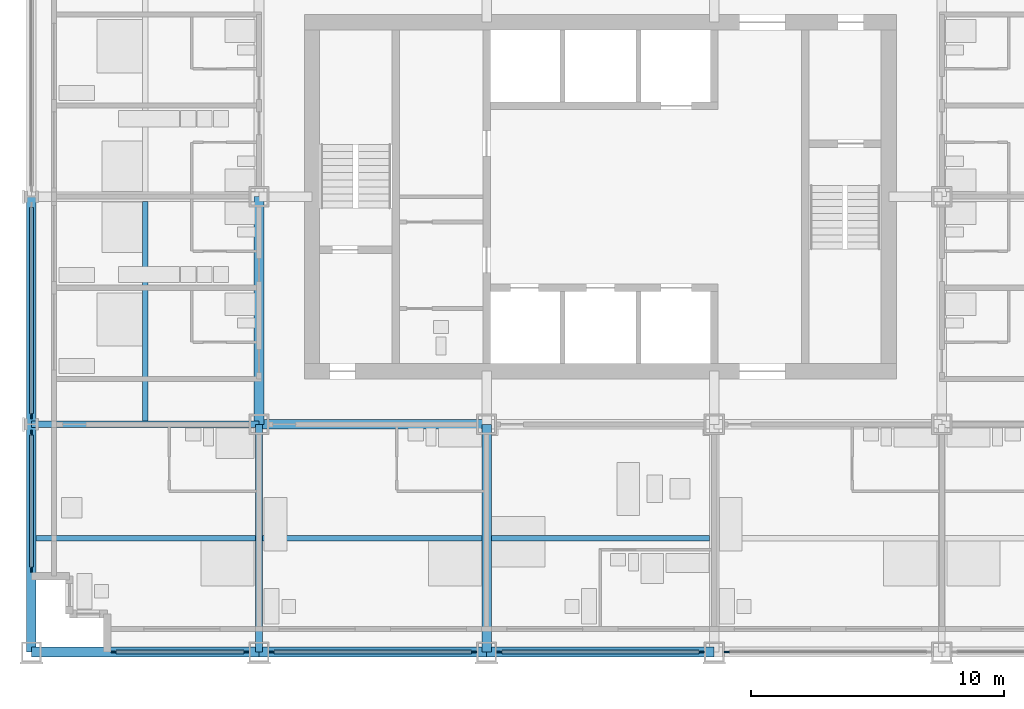
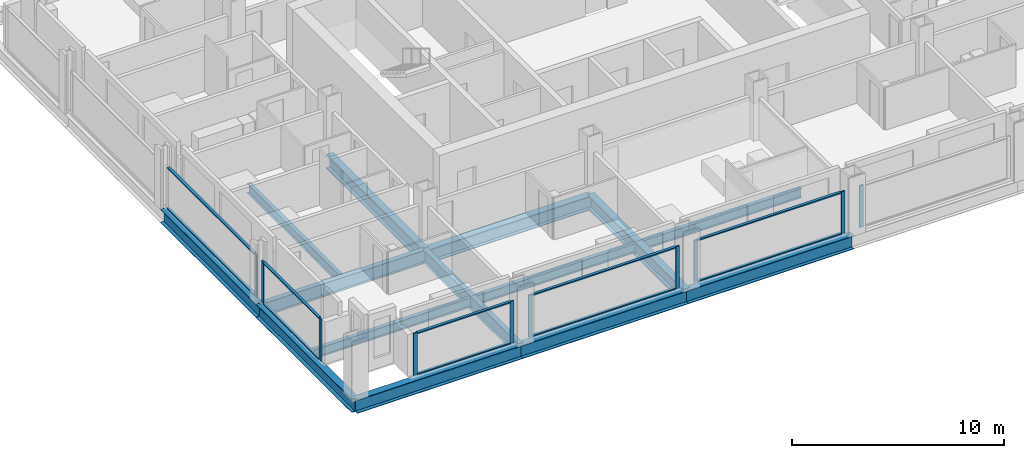
# One storey, part 2 of 16: 20 members, 14 beams, 6 elements without a shape of their own.
"""IFC4 building model written with IfcOpenShell, lengths in metres."""

from ifc_helpers import new_model, si_unit, direction, frame, origin, origin_2d, place, context, subcontext, project, spatial, rectangle, i_section, extrude, material, material_profile, profile_set, type_object, element, aggregate, save


model = new_model("IFC4")

# Units and contexts
model_context = context("Model", 3, precision=1e-05, world=origin(), true_north=direction((0.0, 1.0)))
body_context = subcontext(model_context, "Body", "Model", "MODEL_VIEW")
ifc_project = project(units=[si_unit("LENGTHUNIT", "METRE"), si_unit("AREAUNIT", "SQUARE_METRE"), si_unit("VOLUMEUNIT", "CUBIC_METRE"), si_unit("PLANEANGLEUNIT", "RADIAN"), si_unit("MASSUNIT", "GRAM", prefix="KILO")], contexts=[model_context])

# Site, building, storey
site_placement = place(None, origin())
site = spatial("IfcSite", under=ifc_project, at=site_placement, CompositionType="ELEMENT")
building_placement = place(site_placement, origin())
building = spatial("IfcBuilding", under=site, at=building_placement, Name="Loomwork Tower", CompositionType="ELEMENT")
storey_placement = place(building_placement, frame((0.0, 0.0, 114.60009765625)))
storey = spatial("IfcBuildingStorey", under=building, at=storey_placement, Name="L30", CompositionType="ELEMENT", Elevation=114.60009765625)

# Beams
ifc_material_1 = material(Name="Steel ASTM A992", Category="steel")
ifc_material_profile_1 = material_profile(ifc_material_1, i_section(OverallWidth=0.383544921875, OverallDepth=0.794921875, WebThickness=0.02099609375, FlangeThickness=0.0380859375, at=origin_2d()), Name="W30x235")
ifc_profile_set_1 = profile_set([ifc_material_profile_1], Name="Steel ASTM A992")
beam_type_1 = type_object("IfcBeamType", Name="CORE FLANK GIRDER W30x235", PredefinedType="BEAM", material=ifc_profile_set_1)
for number, where, z_axis, x_axis, name in (
    (1, (9.0, 9.0, -0.59765625), (1.0, 0.0, 0.0), (0.0, 1.0, 0.0), "Core Flank Girder E/3-E/4 L30"),
    (2, (9.0, 9.0, -0.59765625), (0.0, 1.0, 0.0), (-1.0, 0.0, 0.0), "Core Flank Girder E/3-F/3 L30"),
    (3, (18.0, 0.0, -0.59765625), (0.0, 1.0, 0.0), (-1.0, 0.0, 0.0), "Core Flank Girder D/4-E/4 L30"),
):
    element("IfcBeam", number, at=place(storey_placement, frame(where, z_axis=z_axis, x_axis=x_axis)), inside=storey, type_object=beam_type_1, Name=name, PredefinedType="BEAM", context=body_context, shape_type="SweptSolid", body=[
        extrude(i_section(OverallWidth=0.383544921875, OverallDepth=0.794921875, WebThickness=0.02099609375, FlangeThickness=0.0380859375, at=origin_2d()), origin(), (0.0, 0.0, 1.0), 9.0),
    ])
ifc_material_2 = material(Name="Steel ASTM A992", Category="steel")
ifc_material_profile_2 = material_profile(ifc_material_2, i_section(OverallWidth=0.2666015625, OverallDepth=0.761962890625, WebThickness=0.014404296875, FlangeThickness=0.021484375, at=origin_2d()), Name="W30x116")
ifc_profile_set_2 = profile_set([ifc_material_profile_2], Name="Steel ASTM A992")
beam_type_2 = type_object("IfcBeamType", Name="FLOOR GIRDER W30x116", PredefinedType="BEAM", material=ifc_profile_set_2)
for number, where, z_axis, x_axis, name in (
    (4, (0.0, 9.0, -0.5810546875), (1.0, 0.0, 0.0), (0.0, 1.0, 0.0), "Floor Girder E/2-E/3 L30"),
    (5, (9.0, 0.0, -0.5810546875), (0.0, 1.0, 0.0), (-1.0, 0.0, 0.0), "Floor Girder D/3-E/3 L30"),
):
    element("IfcBeam", number, at=place(storey_placement, frame(where, z_axis=z_axis, x_axis=x_axis)), inside=storey, type_object=beam_type_2, Name=name, PredefinedType="BEAM", context=body_context, shape_type="SweptSolid", body=[
        extrude(i_section(OverallWidth=0.2666015625, OverallDepth=0.761962890625, WebThickness=0.014404296875, FlangeThickness=0.021484375, at=origin_2d()), origin(), (0.0, 0.0, 1.0), 9.0),
    ])
ifc_material_3 = material(Name="Steel ASTM A992", Category="steel")
ifc_material_profile_3 = material_profile(ifc_material_3, i_section(OverallWidth=0.2109375, OverallDepth=0.53857421875, WebThickness=0.011474609375, FlangeThickness=0.018798828125, at=origin_2d()), Name="W21x73")
ifc_profile_set_3 = profile_set([ifc_material_profile_3], Name="Steel ASTM A992")
beam_type_3 = type_object("IfcBeamType", Name="FLOOR JOIST W21x73", PredefinedType="JOIST", material=ifc_profile_set_3)
beam_1_placement = place(storey_placement, frame((0.18994140625, 4.5, -0.46923828125), z_axis=(1.0, 0.0, 0.0), x_axis=(0.0, 1.0, 0.0)))
element("IfcBeam", 6, at=beam_1_placement, inside=storey, type_object=beam_type_3, Name="Floor Joist 0.000,4.500-9.000,4.500 L30", PredefinedType="JOIST", context=body_context, shape_type="SweptSolid", body=[
    extrude(i_section(OverallWidth=0.2109375, OverallDepth=0.53857421875, WebThickness=0.011474609375, FlangeThickness=0.018798828125, at=origin_2d()), origin(), (0.0, 0.0, 1.0), 8.677001953125),
])
for number, where, z_axis, x_axis, name in (
    (7, (4.5, 9.133056640625, -0.46923828125), (0.0, 1.0, 0.0), (-1.0, 0.0, 0.0), "Floor Joist 4.500,9.000-4.500,18.000 L30"),
    (8, (9.133056640625, 4.5, -0.46923828125), (1.0, 0.0, 0.0), (0.0, 1.0, 0.0), "Floor Joist 9.000,4.500-18.000,4.500 L30"),
):
    element("IfcBeam", number, at=place(storey_placement, frame(where, z_axis=z_axis, x_axis=x_axis)), inside=storey, type_object=beam_type_3, Name=name, PredefinedType="JOIST", context=body_context, shape_type="SweptSolid", body=[
        extrude(i_section(OverallWidth=0.2109375, OverallDepth=0.53857421875, WebThickness=0.011474609375, FlangeThickness=0.018798828125, at=origin_2d()), origin(), (0.0, 0.0, 1.0), 8.676025390625),
    ])
beam_2_placement = place(storey_placement, frame((18.19091796875, 4.5, -0.46923828125), z_axis=(1.0, 0.0, 0.0), x_axis=(0.0, 1.0, 0.0)))
element("IfcBeam", 9, at=beam_2_placement, inside=storey, type_object=beam_type_3, Name="Floor Joist 18.000,4.500-27.000,4.500 L30", PredefinedType="JOIST", context=body_context, shape_type="SweptSolid", body=[
    extrude(i_section(OverallWidth=0.2109375, OverallDepth=0.53857421875, WebThickness=0.011474609375, FlangeThickness=0.018798828125, at=origin_2d()), origin(), (0.0, 0.0, 1.0), 8.6181640625),
])

# Curtain wall, members
ifc_material_4 = material(Name="Aluminium curtain wall frame", Category="aluminium")
curtain_wall_type = type_object("IfcCurtainWallType", Name="Outer skin glazing hotel", PredefinedType="NOTDEFINED", material=ifc_material_4)
curtain_wall_1_placement = place(storey_placement, origin())
curtain_wall_1 = element("IfcCurtainWall", 10, at=curtain_wall_1_placement, inside=storey, type_object=curtain_wall_type, Name="Outer skin glazing hotel cw/S-0", PredefinedType="NOTDEFINED")
ifc_material_5 = material(Name="Aluminium curtain wall frame", Category="aluminium")
ifc_material_profile_4 = material_profile(ifc_material_5, rectangle(XDim=0.06494140625, YDim=0.199951171875, at=origin_2d()), Name="AL 65x200")
ifc_profile_set_4 = profile_set([ifc_material_profile_4], Name="Aluminium curtain wall frame")
member_type_1 = type_object("IfcMemberType", Name="Outer skin glazing hotel mullion", PredefinedType="MULLION", material=ifc_profile_set_4)
member_1_placement = place(storey_placement, frame((3.25, 0.0, 0.0), z_axis=(0.0, 0.0, 1.0), x_axis=(0.0, 1.0, 0.0)))
member_1 = element("IfcMember", 11, at=member_1_placement, type_object=member_type_1, Name="CW1 mullion 1", PredefinedType="MULLION", context=body_context, shape_type="SweptSolid", body=[
    extrude(rectangle(XDim=0.06494140625, YDim=0.199951171875, at=origin_2d()), origin(), (0.0, 0.0, 1.0), 2.420166015625),
])
member_2_placement = place(storey_placement, frame((8.5, 0.0, 0.0), z_axis=(0.0, 0.0, 1.0), x_axis=(0.0, 1.0, 0.0)))
member_2 = element("IfcMember", 12, at=member_2_placement, type_object=member_type_1, Name="CW1 mullion 2", PredefinedType="MULLION", context=body_context, shape_type="SweptSolid", body=[
    extrude(rectangle(XDim=0.06494140625, YDim=0.199951171875, at=origin_2d()), origin(), (0.0, 0.0, 1.0), 2.420166015625),
])

curtain_wall_2_placement = place(storey_placement, origin())
curtain_wall_2 = element("IfcCurtainWall", 13, at=curtain_wall_2_placement, inside=storey, type_object=curtain_wall_type, Name="Outer skin glazing hotel cw/S-9", PredefinedType="NOTDEFINED")
member_3_placement = place(storey_placement, frame((9.5, 0.0, 0.0), z_axis=(0.0, 0.0, 1.0), x_axis=(0.0, 1.0, 0.0)))
member_3 = element("IfcMember", 14, at=member_3_placement, type_object=member_type_1, Name="CW1 mullion 1", PredefinedType="MULLION", context=body_context, shape_type="SweptSolid", body=[
    extrude(rectangle(XDim=0.06494140625, YDim=0.199951171875, at=origin_2d()), origin(), (0.0, 0.0, 1.0), 2.420166015625),
])
member_4_placement = place(storey_placement, frame((17.5, 0.0, 0.0), z_axis=(0.0, 0.0, 1.0), x_axis=(0.0, 1.0, 0.0)))
member_4 = element("IfcMember", 15, at=member_4_placement, type_object=member_type_1, Name="CW1 mullion 2", PredefinedType="MULLION", context=body_context, shape_type="SweptSolid", body=[
    extrude(rectangle(XDim=0.06494140625, YDim=0.199951171875, at=origin_2d()), origin(), (0.0, 0.0, 1.0), 2.420166015625),
])

curtain_wall_3_placement = place(storey_placement, origin())
curtain_wall_3 = element("IfcCurtainWall", 16, at=curtain_wall_3_placement, inside=storey, type_object=curtain_wall_type, Name="Outer skin glazing hotel cw/S-18", PredefinedType="NOTDEFINED")
member_5_placement = place(storey_placement, frame((18.5, 0.0, 0.0), z_axis=(0.0, 0.0, 1.0), x_axis=(0.0, 1.0, 0.0)))
member_5 = element("IfcMember", 17, at=member_5_placement, type_object=member_type_1, Name="CW1 mullion 1", PredefinedType="MULLION", context=body_context, shape_type="SweptSolid", body=[
    extrude(rectangle(XDim=0.06494140625, YDim=0.199951171875, at=origin_2d()), origin(), (0.0, 0.0, 1.0), 2.420166015625),
])
member_6_placement = place(storey_placement, frame((26.5, 0.0, 0.0), z_axis=(0.0, 0.0, 1.0), x_axis=(0.0, 1.0, 0.0)))
member_6 = element("IfcMember", 18, at=member_6_placement, type_object=member_type_1, Name="CW1 mullion 2", PredefinedType="MULLION", context=body_context, shape_type="SweptSolid", body=[
    extrude(rectangle(XDim=0.06494140625, YDim=0.199951171875, at=origin_2d()), origin(), (0.0, 0.0, 1.0), 2.420166015625),
])

# Curtain wall, member
curtain_wall_4_placement = place(storey_placement, origin())
curtain_wall_4 = element("IfcCurtainWall", 19, at=curtain_wall_4_placement, inside=storey, type_object=curtain_wall_type, Name="Outer skin glazing hotel cw/S-27", PredefinedType="NOTDEFINED")
member_7_placement = place(storey_placement, frame((27.5, 0.0, 0.0), z_axis=(0.0, 0.0, 1.0), x_axis=(0.0, 1.0, 0.0)))
member_7 = element("IfcMember", 20, at=member_7_placement, type_object=member_type_1, Name="CW1 mullion 1", PredefinedType="MULLION", context=body_context, shape_type="SweptSolid", body=[
    extrude(rectangle(XDim=0.06494140625, YDim=0.199951171875, at=origin_2d()), origin(), (0.0, 0.0, 1.0), 2.420166015625),
])
aggregate(curtain_wall_4, [member_7])

# Curtain wall, members
curtain_wall_5_placement = place(storey_placement, origin())
curtain_wall_5 = element("IfcCurtainWall", 21, at=curtain_wall_5_placement, inside=storey, type_object=curtain_wall_type, Name="Outer skin glazing hotel cw/W-0", PredefinedType="NOTDEFINED")
member_8_placement = place(storey_placement, frame((0.0, 8.67529296875, 0.0), z_axis=(0.0, 0.0, 1.0), x_axis=(1.0, 0.0, 0.0)))
member_8 = element("IfcMember", 22, at=member_8_placement, type_object=member_type_1, Name="CW1 mullion 1", PredefinedType="MULLION", context=body_context, shape_type="SweptSolid", body=[
    extrude(rectangle(XDim=0.06494140625, YDim=0.199951171875, at=origin_2d()), origin(), (0.0, 0.0, 1.0), 2.420166015625),
])
member_9_placement = place(storey_placement, frame((0.0, 3.25, 0.0), z_axis=(0.0, 0.0, 1.0), x_axis=(1.0, 0.0, 0.0)))
member_9 = element("IfcMember", 23, at=member_9_placement, type_object=member_type_1, Name="CW1 mullion 2", PredefinedType="MULLION", context=body_context, shape_type="SweptSolid", body=[
    extrude(rectangle(XDim=0.06494140625, YDim=0.199951171875, at=origin_2d()), origin(), (0.0, 0.0, 1.0), 2.420166015625),
])

# Curtain wall, member
curtain_wall_6_placement = place(storey_placement, origin())
curtain_wall_6 = element("IfcCurtainWall", 24, at=curtain_wall_6_placement, inside=storey, type_object=curtain_wall_type, Name="Outer skin glazing hotel cw/W-9", PredefinedType="NOTDEFINED")
member_10_placement = place(storey_placement, frame((0.0, 9.32470703125, 0.0), z_axis=(0.0, 0.0, 1.0), x_axis=(1.0, 0.0, 0.0)))
member_10 = element("IfcMember", 25, at=member_10_placement, type_object=member_type_1, Name="CW1 mullion 2", PredefinedType="MULLION", context=body_context, shape_type="SweptSolid", body=[
    extrude(rectangle(XDim=0.06494140625, YDim=0.199951171875, at=origin_2d()), origin(), (0.0, 0.0, 1.0), 2.420166015625),
])

# Member
ifc_material_6 = material(Name="Aluminium curtain wall frame", Category="aluminium")
ifc_material_profile_5 = material_profile(ifc_material_6, rectangle(XDim=0.14990234375, YDim=0.06494140625, at=origin_2d()), Name="AL 65x150")
ifc_profile_set_5 = profile_set([ifc_material_profile_5], Name="Aluminium curtain wall frame")
member_type_2 = type_object("IfcMemberType", Name="Outer skin glazing hotel transom", PredefinedType="USERDEFINED", material=ifc_profile_set_5)
member_11_placement = place(storey_placement, frame((3.35009765625, 0.0, 0.032470703125), z_axis=(1.0, 0.0, 0.0), x_axis=(0.0, 1.0, 0.0)))
member_11 = element("IfcMember", 26, at=member_11_placement, type_object=member_type_2, Name="CW1 transom 1.1", ObjectType="TRANSOM", PredefinedType="USERDEFINED", context=body_context, shape_type="SweptSolid", body=[
    extrude(rectangle(XDim=0.14990234375, YDim=0.06494140625, at=origin_2d()), origin(), (0.0, 0.0, 1.0), 5.0498046875),
])

member_12_placement = place(storey_placement, frame((3.35009765625, 0.0, 2.3876953125), z_axis=(1.0, 0.0, 0.0), x_axis=(0.0, 1.0, 0.0)))
member_12 = element("IfcMember", 27, at=member_12_placement, type_object=member_type_2, Name="CW1 transom 1.2", ObjectType="TRANSOM", PredefinedType="USERDEFINED", context=body_context, shape_type="SweptSolid", body=[
    extrude(rectangle(XDim=0.14990234375, YDim=0.06494140625, at=origin_2d()), origin(), (0.0, 0.0, 1.0), 5.0498046875),
])

aggregate(curtain_wall_1, [member_1, member_2, member_11, member_12])

member_13_placement = place(storey_placement, frame((9.60009765625, 0.0, 0.032470703125), z_axis=(1.0, 0.0, 0.0), x_axis=(0.0, 1.0, 0.0)))
member_13 = element("IfcMember", 28, at=member_13_placement, type_object=member_type_2, Name="CW1 transom 1.1", ObjectType="TRANSOM", PredefinedType="USERDEFINED", context=body_context, shape_type="SweptSolid", body=[
    extrude(rectangle(XDim=0.14990234375, YDim=0.06494140625, at=origin_2d()), origin(), (0.0, 0.0, 1.0), 7.7998046875),
])

member_14_placement = place(storey_placement, frame((9.60009765625, 0.0, 2.3876953125), z_axis=(1.0, 0.0, 0.0), x_axis=(0.0, 1.0, 0.0)))
member_14 = element("IfcMember", 29, at=member_14_placement, type_object=member_type_2, Name="CW1 transom 1.2", ObjectType="TRANSOM", PredefinedType="USERDEFINED", context=body_context, shape_type="SweptSolid", body=[
    extrude(rectangle(XDim=0.14990234375, YDim=0.06494140625, at=origin_2d()), origin(), (0.0, 0.0, 1.0), 7.7998046875),
])

aggregate(curtain_wall_2, [member_3, member_4, member_13, member_14])

member_15_placement = place(storey_placement, frame((18.60009765625, 0.0, 0.032470703125), z_axis=(1.0, 0.0, 0.0), x_axis=(0.0, 1.0, 0.0)))
member_15 = element("IfcMember", 30, at=member_15_placement, type_object=member_type_2, Name="CW1 transom 1.1", ObjectType="TRANSOM", PredefinedType="USERDEFINED", context=body_context, shape_type="SweptSolid", body=[
    extrude(rectangle(XDim=0.14990234375, YDim=0.06494140625, at=origin_2d()), origin(), (0.0, 0.0, 1.0), 7.7998046875),
])

member_16_placement = place(storey_placement, frame((18.60009765625, 0.0, 2.3876953125), z_axis=(1.0, 0.0, 0.0), x_axis=(0.0, 1.0, 0.0)))
member_16 = element("IfcMember", 31, at=member_16_placement, type_object=member_type_2, Name="CW1 transom 1.2", ObjectType="TRANSOM", PredefinedType="USERDEFINED", context=body_context, shape_type="SweptSolid", body=[
    extrude(rectangle(XDim=0.14990234375, YDim=0.06494140625, at=origin_2d()), origin(), (0.0, 0.0, 1.0), 7.7998046875),
])

aggregate(curtain_wall_3, [member_5, member_6, member_15, member_16])

member_17_placement = place(storey_placement, frame((0.0, 8.5751953125, 0.032470703125), z_axis=(0.0, -1.0, 0.0), x_axis=(1.0, 0.0, 0.0)))
member_17 = element("IfcMember", 32, at=member_17_placement, type_object=member_type_2, Name="CW1 transom 1.1", ObjectType="TRANSOM", PredefinedType="USERDEFINED", context=body_context, shape_type="SweptSolid", body=[
    extrude(rectangle(XDim=0.14990234375, YDim=0.06494140625, at=origin_2d()), origin(), (0.0, 0.0, 1.0), 5.22509765625),
])

member_18_placement = place(storey_placement, frame((0.0, 8.5751953125, 2.3876953125), z_axis=(0.0, -1.0, 0.0), x_axis=(1.0, 0.0, 0.0)))
member_18 = element("IfcMember", 33, at=member_18_placement, type_object=member_type_2, Name="CW1 transom 1.2", ObjectType="TRANSOM", PredefinedType="USERDEFINED", context=body_context, shape_type="SweptSolid", body=[
    extrude(rectangle(XDim=0.14990234375, YDim=0.06494140625, at=origin_2d()), origin(), (0.0, 0.0, 1.0), 5.22509765625),
])

aggregate(curtain_wall_5, [member_8, member_9, member_17, member_18])

member_19_placement = place(storey_placement, frame((0.0, 17.5751953125, 0.032470703125), z_axis=(0.0, -1.0, 0.0), x_axis=(1.0, 0.0, 0.0)))
member_19 = element("IfcMember", 34, at=member_19_placement, type_object=member_type_2, Name="CW1 transom 1.1", ObjectType="TRANSOM", PredefinedType="USERDEFINED", context=body_context, shape_type="SweptSolid", body=[
    extrude(rectangle(XDim=0.14990234375, YDim=0.06494140625, at=origin_2d()), origin(), (0.0, 0.0, 1.0), 8.150390625),
])

member_20_placement = place(storey_placement, frame((0.0, 17.5751953125, 2.3876953125), z_axis=(0.0, -1.0, 0.0), x_axis=(1.0, 0.0, 0.0)))
member_20 = element("IfcMember", 35, at=member_20_placement, type_object=member_type_2, Name="CW1 transom 1.2", ObjectType="TRANSOM", PredefinedType="USERDEFINED", context=body_context, shape_type="SweptSolid", body=[
    extrude(rectangle(XDim=0.14990234375, YDim=0.06494140625, at=origin_2d()), origin(), (0.0, 0.0, 1.0), 8.150390625),
])

aggregate(curtain_wall_6, [member_10, member_19, member_20])

# Beams
ifc_material_7 = material(Name="Steel ASTM A992", Category="steel")
ifc_material_profile_6 = material_profile(ifc_material_7, i_section(OverallWidth=0.381103515625, OverallDepth=0.77978515625, WebThickness=0.01806640625, FlangeThickness=0.0302734375, at=origin_2d()), Name="W30x191")
ifc_profile_set_6 = profile_set([ifc_material_profile_6], Name="Steel ASTM A992")
beam_type_4 = type_object("IfcBeamType", Name="SPANDREL GIRDER W30x191", PredefinedType="SPANDREL", material=ifc_profile_set_6)
for number, where, z_axis, x_axis, name in (
    (36, (0.0, 0.0, -0.590087890625), (1.0, 0.0, 0.0), (0.0, 1.0, 0.0), "Spandrel Girder D/2-D/3 L30"),
    (37, (9.0, 0.0, -0.590087890625), (1.0, 0.0, 0.0), (0.0, 1.0, 0.0), "Spandrel Girder D/3-D/4 L30"),
    (38, (18.0, 0.0, -0.590087890625), (1.0, 0.0, 0.0), (0.0, 1.0, 0.0), "Spandrel Girder D/4-D/5 L30"),
    (39, (0.0, 0.0, -0.590087890625), (0.0, 1.0, 0.0), (-1.0, 0.0, 0.0), "Spandrel Girder D/2-E/2 L30"),
    (40, (0.0, 9.0, -0.590087890625), (0.0, 1.0, 0.0), (-1.0, 0.0, 0.0), "Spandrel Girder E/2-F/2 L30"),
):
    element("IfcBeam", number, at=place(storey_placement, frame(where, z_axis=z_axis, x_axis=x_axis)), inside=storey, type_object=beam_type_4, Name=name, PredefinedType="SPANDREL", context=body_context, shape_type="SweptSolid", body=[
        extrude(i_section(OverallWidth=0.381103515625, OverallDepth=0.77978515625, WebThickness=0.01806640625, FlangeThickness=0.0302734375, at=origin_2d()), origin(), (0.0, 0.0, 1.0), 9.0),
    ])

save(model, "model.ifc")
